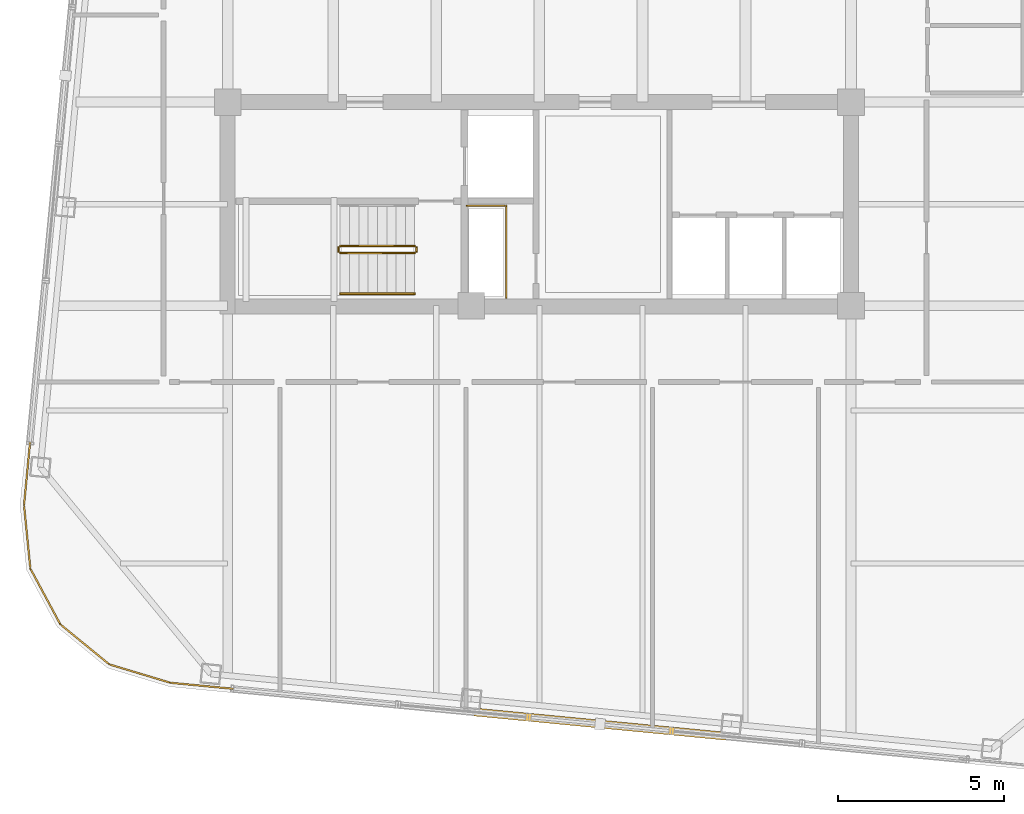
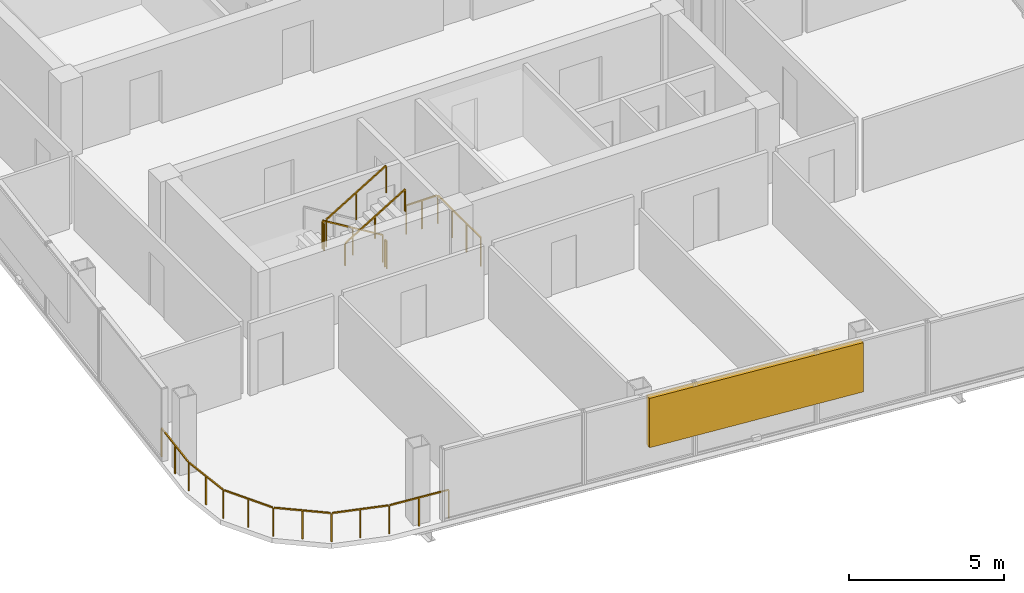
# One storey, part 19 of 22: 7 railings, 1 shading device.
"""IFC4 building model written with IfcOpenShell, lengths in metres."""

from ifc_helpers import new_model, si_unit, direction, frame, origin, origin_2d, place, context, subcontext, project, spatial, rectangle, extrude, material, type_object, element, save


model = new_model("IFC4")

# Units and contexts
model_context = context("Model", 3, precision=1e-05, world=origin(), true_north=direction((0.0, 1.0)))
body_context = subcontext(model_context, "Body", "Model", "MODEL_VIEW")
ifc_project = project(units=[si_unit("LENGTHUNIT", "METRE"), si_unit("AREAUNIT", "SQUARE_METRE"), si_unit("VOLUMEUNIT", "CUBIC_METRE"), si_unit("PLANEANGLEUNIT", "RADIAN"), si_unit("MASSUNIT", "GRAM", prefix="KILO")], contexts=[model_context])

# Site, building, storey
site_placement = place(None, origin())
site = spatial("IfcSite", under=ifc_project, at=site_placement, CompositionType="ELEMENT")
building_placement = place(site_placement, origin())
building = spatial("IfcBuilding", under=site, at=building_placement, Name="Qhalaya Broadcast Tower", CompositionType="ELEMENT")
storey_placement = place(building_placement, frame((0.0, 0.0, 252.0)))
storey = spatial("IfcBuildingStorey", under=building, at=storey_placement, Name="L74", CompositionType="ELEMENT", Elevation=252.0)

# Railings
ifc_material_1 = material(Name="Powder-Coated Galvanised Steel", Category="steel")
railing_type_1 = type_object("IfcRailingType", Name="Stair Wall Handrail 900", PredefinedType="HANDRAIL", material=ifc_material_1)
railing_1_placement = place(storey_placement, frame((-5.989990234375, -8.389892578125, 1.6943359375)))
element("IfcRailing", 1, at=railing_1_placement, inside=storey, type_object=railing_type_1, Name="L74 ST-2 Stair Handrail 2", PredefinedType="HANDRAIL", context=body_context, shape_type="SweptSolid", body=[
    extrude(rectangle(XDim=0.048095703125, YDim=0.048095703125, at=origin_2d()), frame((0.0, 0.0, 0.8759765625), z_axis=(0.855512035549, 0.0, 0.517782924622), x_axis=(0.0, 1.0, 0.0)), (0.0, 0.0, 1.0), 2.618408203125),
    extrude(rectangle(XDim=0.0419921875, YDim=0.0419921875, at=origin_2d()), origin(), (0.0, 0.0, 1.0), 0.849853515625),
    extrude(rectangle(XDim=0.0419921875, YDim=0.0419921875, at=origin_2d()), frame((1.1201171875, 0.0, 0.677734375)), (0.0, 0.0, 1.0), 0.849853515625),
    extrude(rectangle(XDim=0.0419921875, YDim=0.0419921875, at=origin_2d()), frame((2.239990234375, 0.0, 1.355712890625)), (0.0, 0.0, 1.0), 0.849853515625),
])
railing_type_2 = type_object("IfcRailingType", Name="Stair Well & Landing Guardrail 1100", PredefinedType="GUARDRAIL", material=ifc_material_1)
railing_2_placement = place(storey_placement, frame((-1.0, -8.52001953125, 0.0)))
element("IfcRailing", 2, at=railing_2_placement, inside=storey, type_object=railing_type_2, Name="L74 Service Riser Opening Safety Guard SRSR", PredefinedType="GUARDRAIL", context=body_context, shape_type="SweptSolid", body=[
    extrude(rectangle(XDim=0.048095703125, YDim=0.048095703125, at=origin_2d()), frame((0.0, 0.0, 1.1259765625), z_axis=(0.0, 1.0, 0.0), x_axis=(-1.0, 0.0, 0.0)), (0.0, 0.0, 1.0), 2.751220703125),
    extrude(rectangle(XDim=0.048095703125, YDim=0.048095703125, at=origin_2d()), frame((-0.02880859375, 2.780029296875, 1.1259765625), z_axis=(-1.0, 0.0, 0.0), x_axis=(0.0, -1.0, 0.0)), (0.0, 0.0, 1.0), 1.151123046875),
    extrude(rectangle(XDim=0.0419921875, YDim=0.0419921875, at=origin_2d()), origin(), (0.0, 0.0, 1.0), 1.099853515625),
    extrude(rectangle(XDim=0.0419921875, YDim=0.0419921875, at=origin_2d()), frame((0.0, 0.9267578125, 0.0)), (0.0, 0.0, 1.0), 1.099853515625),
    extrude(rectangle(XDim=0.0419921875, YDim=0.0419921875, at=origin_2d()), frame((0.0, 1.853271484375, 0.0)), (0.0, 0.0, 1.0), 1.099853515625),
    extrude(rectangle(XDim=0.0419921875, YDim=0.0419921875, at=origin_2d()), frame((0.0, 2.780029296875, 0.0)), (0.0, 0.0, 1.0), 1.099853515625),
    extrude(rectangle(XDim=0.0419921875, YDim=0.0419921875, at=origin_2d()), frame((-0.58984375, 2.780029296875, 0.0)), (0.0, 0.0, 1.0), 1.099853515625),
    extrude(rectangle(XDim=0.0419921875, YDim=0.0419921875, at=origin_2d()), frame((-1.179931640625, 2.780029296875, 0.0)), (0.0, 0.0, 1.0), 1.099853515625),
])
railing_3_placement = place(storey_placement, frame((-3.75, -6.949951171875, 0.16943359375)))
element("IfcRailing", 3, at=railing_3_placement, inside=storey, type_object=railing_type_2, Name="L74 ST-2 Stair Guard 1", PredefinedType="GUARDRAIL", context=body_context, shape_type="SweptSolid", body=[
    extrude(rectangle(XDim=0.048095703125, YDim=0.048095703125, at=origin_2d()), frame((0.0, 0.0, 1.076171875), z_axis=(-0.855553338991, 0.0, 0.51771467445), x_axis=(0.0, -1.0, 0.0)), (0.0, 0.0, 1.0), 2.6181640625),
    extrude(rectangle(XDim=0.0419921875, YDim=0.0419921875, at=origin_2d()), origin(), (0.0, 0.0, 1.0), 1.050048828125),
    extrude(rectangle(XDim=0.0419921875, YDim=0.0419921875, at=origin_2d()), frame((-1.1201171875, 0.0, 0.677734375)), (0.0, 0.0, 1.0), 1.050048828125),
    extrude(rectangle(XDim=0.0419921875, YDim=0.0419921875, at=origin_2d()), frame((-2.239990234375, 0.0, 1.35546875)), (0.0, 0.0, 1.0), 1.050048828125),
])
railing_4_placement = place(storey_placement, frame((-6.0400390625, -7.0, 1.52490234375)))
element("IfcRailing", 4, at=railing_4_placement, inside=storey, type_object=railing_type_2, Name="L74 ST-2 Stair Guard 2", PredefinedType="GUARDRAIL", context=body_context, shape_type="SweptSolid", body=[
    extrude(rectangle(XDim=0.048095703125, YDim=0.048095703125, at=origin_2d()), frame((0.0, 0.0, 1.076171875), z_axis=(0.0, -1.0, 0.0), x_axis=(1.0, 0.0, 0.0)), (0.0, 0.0, 1.0), 0.1201171875),
    extrude(rectangle(XDim=0.0419921875, YDim=0.0419921875, at=origin_2d()), origin(), (0.0, 0.0, 1.0), 1.050048828125),
    extrude(rectangle(XDim=0.0419921875, YDim=0.0419921875, at=origin_2d()), frame((0.0, -0.1201171875, 0.0)), (0.0, 0.0, 1.0), 1.050048828125),
])
railing_5_placement = place(storey_placement, frame((-5.989990234375, -7.169921875, 1.6943359375)))
element("IfcRailing", 5, at=railing_5_placement, inside=storey, type_object=railing_type_2, Name="L74 ST-2 Stair Guard 3", PredefinedType="GUARDRAIL", context=body_context, shape_type="SweptSolid", body=[
    extrude(rectangle(XDim=0.048095703125, YDim=0.048095703125, at=origin_2d()), frame((0.0, 0.0, 1.076171875), z_axis=(0.855512035549, 0.0, 0.517782924622), x_axis=(0.0, 1.0, 0.0)), (0.0, 0.0, 1.0), 2.618408203125),
    extrude(rectangle(XDim=0.0419921875, YDim=0.0419921875, at=origin_2d()), origin(), (0.0, 0.0, 1.0), 1.050048828125),
    extrude(rectangle(XDim=0.0419921875, YDim=0.0419921875, at=origin_2d()), frame((1.1201171875, 0.0, 0.677734375)), (0.0, 0.0, 1.0), 1.050048828125),
    extrude(rectangle(XDim=0.0419921875, YDim=0.0419921875, at=origin_2d()), frame((2.239990234375, 0.0, 1.355712890625)), (0.0, 0.0, 1.0), 1.050048828125),
])
railing_6_placement = place(storey_placement, frame((-3.699951171875, -7.0, 0.0)))
element("IfcRailing", 6, at=railing_6_placement, inside=storey, type_object=railing_type_2, Name="L74 ST-2 Stair Guard 4", PredefinedType="GUARDRAIL", context=body_context, shape_type="SweptSolid", body=[
    extrude(rectangle(XDim=0.048095703125, YDim=0.048095703125, at=origin_2d()), frame((0.0, 0.0, 1.076171875), z_axis=(0.0, -1.0, 0.0), x_axis=(1.0, 0.0, 0.0)), (0.0, 0.0, 1.0), 0.1201171875),
    extrude(rectangle(XDim=0.0419921875, YDim=0.0419921875, at=origin_2d()), origin(), (0.0, 0.0, 1.0), 1.050048828125),
    extrude(rectangle(XDim=0.0419921875, YDim=0.0419921875, at=origin_2d()), frame((0.0, -0.1201171875, 0.0)), (0.0, 0.0, 1.0), 1.050048828125),
])
railing_type_3 = type_object("IfcRailingType", Name="Terrace, Sky-Pool & Lookout Glass Balustrade 1150", PredefinedType="BALUSTRADE", material=ifc_material_1)
railing_7_placement = place(storey_placement, frame((-8.99365234375, -20.2958984375, 0.0)))
element("IfcRailing", 7, at=railing_7_placement, inside=storey, type_object=railing_type_3, Name="L74 Rounded Corner Perimeter Guard 02", PredefinedType="BALUSTRADE", context=body_context, shape_type="SweptSolid", body=[
    extrude(rectangle(XDim=0.048095703125, YDim=0.048095703125, at=origin_2d()), frame((0.0, 0.0, 1.1259765625), z_axis=(-0.995391273094, 0.095896889673, 0.0), x_axis=(-0.095896889673, -0.995391273094, 0.0)), (0.0, 0.0, 1.0), 2.08935546875),
    extrude(rectangle(XDim=0.048095703125, YDim=0.048095703125, at=origin_2d()), frame((-2.135986328125, 0.21142578125, 1.1259765625), z_axis=(-0.957601447485, 0.288096282124, 0.0), x_axis=(-0.288096282124, -0.957601447485, 0.0)), (0.0, 0.0, 1.0), 1.857421875),
    extrude(rectangle(XDim=0.048095703125, YDim=0.048095703125, at=origin_2d()), frame((-3.96484375, 0.773193359375, 1.1259765625), z_axis=(-0.774357190213, 0.63274871945, 0.0), x_axis=(-0.63274871945, -0.774357190213, 0.0)), (0.0, 0.0, 1.0), 1.845703125),
    extrude(rectangle(XDim=0.048095703125, YDim=0.048095703125, at=origin_2d()), frame((-5.429931640625, 1.984619140625, 1.1259765625), z_axis=(-0.473342342286, 0.880878554058, 0.0), x_axis=(-0.880878554058, -0.473342342286, 0.0)), (0.0, 0.0, 1.0), 1.845458984375),
    extrude(rectangle(XDim=0.048095703125, YDim=0.048095703125, at=origin_2d()), frame((-6.320068359375, 3.66455078125, 1.1259765625), z_axis=(-0.100071682341, 0.994980230152, 0.0), x_axis=(-0.994980230152, -0.100071682341, 0.0)), (0.0, 0.0, 1.0), 1.857421875),
    extrude(rectangle(XDim=0.048095703125, YDim=0.048095703125, at=origin_2d()), frame((-6.506103515625, 5.570068359375, 1.1259765625), z_axis=(0.095782687057, 0.995402268864, 0.0), x_axis=(-0.995402268864, 0.095782687057, 0.0)), (0.0, 0.0, 1.0), 2.08935546875),
    extrude(rectangle(XDim=0.0419921875, YDim=0.0419921875, at=origin_2d()), origin(), (0.0, 0.0, 1.0), 1.099853515625),
    extrude(rectangle(XDim=0.0419921875, YDim=0.0419921875, at=origin_2d()), frame((-1.05419921875, 0.1015625, 0.0)), (0.0, 0.0, 1.0), 1.099853515625),
    extrude(rectangle(XDim=0.0419921875, YDim=0.0419921875, at=origin_2d()), frame((-2.1083984375, 0.203125, 0.0)), (0.0, 0.0, 1.0), 1.099853515625),
    extrude(rectangle(XDim=0.0419921875, YDim=0.0419921875, at=origin_2d()), frame((-3.025390625, 0.47900390625, 0.0)), (0.0, 0.0, 1.0), 1.099853515625),
    extrude(rectangle(XDim=0.0419921875, YDim=0.0419921875, at=origin_2d()), frame((-3.9423828125, 0.7548828125, 0.0)), (0.0, 0.0, 1.0), 1.099853515625),
    extrude(rectangle(XDim=0.0419921875, YDim=0.0419921875, at=origin_2d()), frame((-4.67919921875, 1.35693359375, 0.0)), (0.0, 0.0, 1.0), 1.099853515625),
    extrude(rectangle(XDim=0.0419921875, YDim=0.0419921875, at=origin_2d()), frame((-5.416259765625, 1.959228515625, 0.0)), (0.0, 0.0, 1.0), 1.099853515625),
    extrude(rectangle(XDim=0.0419921875, YDim=0.0419921875, at=origin_2d()), frame((-5.86669921875, 2.79736328125, 0.0)), (0.0, 0.0, 1.0), 1.099853515625),
    extrude(rectangle(XDim=0.0419921875, YDim=0.0419921875, at=origin_2d()), frame((-6.317138671875, 3.6357421875, 0.0)), (0.0, 0.0, 1.0), 1.099853515625),
    extrude(rectangle(XDim=0.0419921875, YDim=0.0419921875, at=origin_2d()), frame((-6.4130859375, 4.58837890625, 0.0)), (0.0, 0.0, 1.0), 1.099853515625),
    extrude(rectangle(XDim=0.0419921875, YDim=0.0419921875, at=origin_2d()), frame((-6.5087890625, 5.541259765625, 0.0)), (0.0, 0.0, 1.0), 1.099853515625),
    extrude(rectangle(XDim=0.0419921875, YDim=0.0419921875, at=origin_2d()), frame((-6.4072265625, 6.595458984375, 0.0)), (0.0, 0.0, 1.0), 1.099853515625),
    extrude(rectangle(XDim=0.0419921875, YDim=0.0419921875, at=origin_2d()), frame((-6.305908203125, 7.649658203125, 0.0)), (0.0, 0.0, 1.0), 1.099853515625),
])

# Shading device
ifc_material_2 = material(Name="Fired Architectural Terracotta", Category="masonry")
shading_device_type = type_object("IfcShadingDeviceType", Name="Terracotta Baguette Solar Screen Assembly TBS-01", PredefinedType="USERDEFINED", material=ifc_material_2)
shading_device_placement = place(storey_placement, frame((1.826171875, -21.337646484375, 0.80078125), z_axis=(0.0, 0.0, 1.0), x_axis=(0.995396198367, -0.09584575252, 0.0)))
element("IfcShadingDevice", 8, at=shading_device_placement, inside=storey, type_object=shading_device_type, Name="L74 Fired Terracotta Baguette Screen S", ObjectType="BAGUETTE", PredefinedType="USERDEFINED", context=body_context, shape_type="SweptSolid", body=[
    extrude(rectangle(XDim=7.60009765625, YDim=0.239990234375, at=origin_2d()), origin(), (0.0, 0.0, 1.0), 1.945068359375),
])

save(model, "model.ifc")
